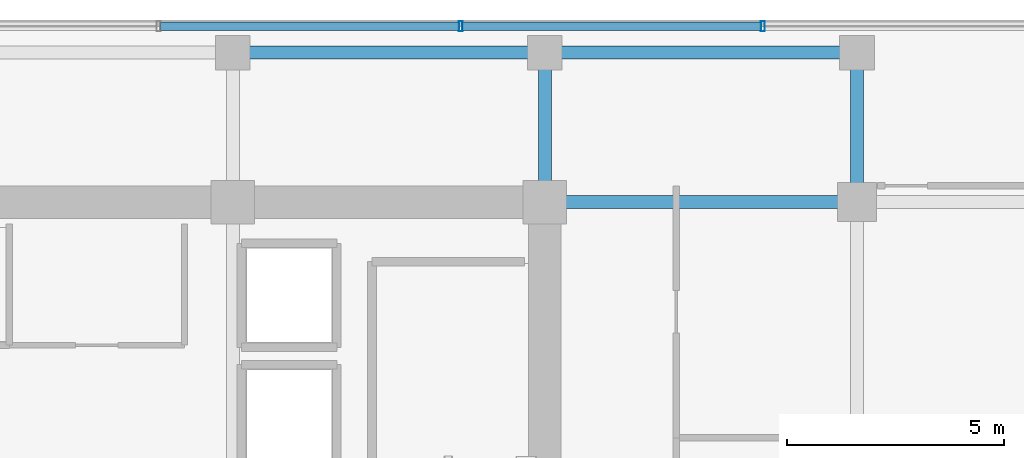
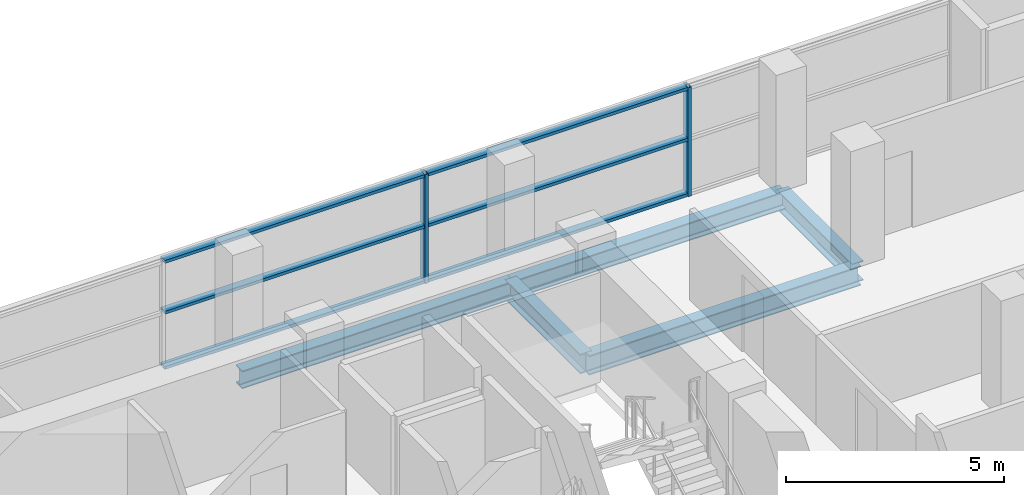
# One storey, part 14 of 24: 8 members, 5 beams, 1 element without a shape of its own.
"""IFC4 building model written with IfcOpenShell, lengths in metres."""

from ifc_helpers import new_model, si_unit, direction, frame, origin, origin_2d, place, context, subcontext, project, spatial, hollow_rectangle, i_section, extrude, source, transform, mapped, material, layer, layer_set, material_profile, profile_set, type_object, element, aggregate, save


model = new_model("IFC4")

# Units and contexts
model_context = context("Model", 3, precision=1e-05, world=origin(), true_north=direction((0.0, 1.0)))
body_context = subcontext(model_context, "Body", "Model", "MODEL_VIEW")
ifc_project = project(units=[si_unit("LENGTHUNIT", "METRE"), si_unit("AREAUNIT", "SQUARE_METRE"), si_unit("VOLUMEUNIT", "CUBIC_METRE"), si_unit("PLANEANGLEUNIT", "RADIAN"), si_unit("MASSUNIT", "GRAM", prefix="KILO")], contexts=[model_context])

# Site, building, storey
site_placement = place(None, origin())
site = spatial("IfcSite", under=ifc_project, at=site_placement, CompositionType="ELEMENT")
building_placement = place(site_placement, origin())
building = spatial("IfcBuilding", under=site, at=building_placement, Name="Zarnakvel Exchange Tower", CompositionType="ELEMENT")
storey_placement = place(building_placement, frame((0.0, 0.0, 133.0)))
storey = spatial("IfcBuildingStorey", under=building, at=storey_placement, Name="L37", CompositionType="ELEMENT", Elevation=133.0)

# Beams
ifc_material_1 = material(Name="Steel S355", Category="steel")
ifc_material_profile_1 = material_profile(ifc_material_1, i_section(OverallWidth=0.300048828125, OverallDepth=0.550048828125, WebThickness=0.014892578125, FlangeThickness=0.029052734375, FilletRadius=0.027099609375, at=origin_2d()))
ifc_profile_set_1 = profile_set([ifc_material_profile_1], Name="Steel S355")
beam_type_1 = type_object("IfcBeamType", Name="G-05", PredefinedType="BEAM", material=ifc_profile_set_1)
beam_1_placement = place(storey_placement, frame((14.39990234375, 13.5, -0.5), z_axis=(1.0, 0.0, 0.0), x_axis=(0.0, 1.0, 0.0)))
element("IfcBeam", 1, at=beam_1_placement, inside=storey, type_object=beam_type_1, Name="L37 Tower E-W Frame Beam", PredefinedType="BEAM", context=body_context, shape_type="SweptSolid", body=[
    extrude(i_section(OverallWidth=0.300048828125, OverallDepth=0.550048828125, WebThickness=0.014892578125, FlangeThickness=0.029052734375, FilletRadius=0.027099609375, at=origin_2d()), origin(), (0.0, 0.0, 1.0), 7.2001953125),
])
for number, where, z_axis, x_axis, name in (
    (2, (14.39990234375, 13.5, -0.5), (0.0, 1.0, 0.0), (-1.0, 0.0, 0.0), "L37 Tower N-S Frame Beam"),
    (3, (21.60009765625, 13.5, -0.5), (0.0, 1.0, 0.0), (-1.0, 0.0, 0.0), "L37 Tower N-S Frame Beam"),
):
    element("IfcBeam", number, at=place(storey_placement, frame(where, z_axis=z_axis, x_axis=x_axis)), inside=storey, type_object=beam_type_1, Name=name, PredefinedType="BEAM", context=body_context, shape_type="SweptSolid", body=[
        extrude(i_section(OverallWidth=0.300048828125, OverallDepth=0.550048828125, WebThickness=0.014892578125, FlangeThickness=0.029052734375, FilletRadius=0.027099609375, at=origin_2d()), origin(), (0.0, 0.0, 1.0), 3.449951171875),
    ])
ifc_material_profile_2 = material_profile(ifc_material_1, i_section(OverallWidth=0.300048828125, OverallDepth=0.5, WebThickness=0.014404296875, FlangeThickness=0.028076171875, FilletRadius=0.027099609375, at=origin_2d()))
ifc_profile_set_2 = profile_set([ifc_material_profile_2], Name="Steel S355")
beam_type_2 = type_object("IfcBeamType", Name="SP-02", PredefinedType="SPANDREL", material=ifc_profile_set_2)
beam_2_placement = place(storey_placement, frame((7.199951171875, 16.949951171875, -0.47509765625), z_axis=(1.0, 0.0, 0.0), x_axis=(0.0, 1.0, 0.0)))
element("IfcBeam", 4, at=beam_2_placement, inside=storey, type_object=beam_type_2, Name="L37 Tower E-W Frame Beam", PredefinedType="SPANDREL", context=body_context, shape_type="SweptSolid", body=[
    extrude(i_section(OverallWidth=0.300048828125, OverallDepth=0.5, WebThickness=0.014404296875, FlangeThickness=0.028076171875, FilletRadius=0.027099609375, at=origin_2d()), origin(), (0.0, 0.0, 1.0), 7.199951171875),
])
beam_3_placement = place(storey_placement, frame((14.39990234375, 16.949951171875, -0.47509765625), z_axis=(1.0, 0.0, 0.0), x_axis=(0.0, 1.0, 0.0)))
element("IfcBeam", 5, at=beam_3_placement, inside=storey, type_object=beam_type_2, Name="L37 Tower E-W Frame Beam", PredefinedType="SPANDREL", context=body_context, shape_type="SweptSolid", body=[
    extrude(i_section(OverallWidth=0.300048828125, OverallDepth=0.5, WebThickness=0.014404296875, FlangeThickness=0.028076171875, FilletRadius=0.027099609375, at=origin_2d()), origin(), (0.0, 0.0, 1.0), 7.2001953125),
])

# Curtain wall, members
ifc_material_2 = material(Name="Architectural Bronze Anodised Aluminium", Category="aluminium")
ifc_layer = layer(ifc_material_2, 0.239990234375)
ifc_layer_set = layer_set([ifc_layer], Name="Architectural Bronze Anodised Aluminium")
curtain_wall_type = type_object("IfcCurtainWallType", Name="CW-02", PredefinedType="NOTDEFINED", material=ifc_layer_set)
curtain_wall_placement = place(storey_placement, origin())
curtain_wall = element("IfcCurtainWall", 6, at=curtain_wall_placement, inside=storey, type_object=curtain_wall_type, Name="L37 Curtain Wall CW-L37-N1 (CW-02)", PredefinedType="NOTDEFINED")
ifc_material_profile_3 = material_profile(ifc_material_2, hollow_rectangle(XDim=0.239990234375, YDim=0.090087890625, WallThickness=0.006103515625, at=origin_2d()))
ifc_profile_set_3 = profile_set([ifc_material_profile_3], Name="Architectural Bronze Anodised Aluminium")
member_type_1 = type_object("IfcMemberType", Name="CWM-02", PredefinedType="MULLION", material=ifc_profile_set_3)
shared_shape_1 = source(origin(), body_context, "Body", "SweptSolid", [
    extrude(hollow_rectangle(XDim=0.239990234375, YDim=0.090087890625, WallThickness=0.006103515625, at=origin_2d()), origin(), (0.0, 0.0, 1.0), 3.054931640625),
])
member_1_placement = place(storey_placement, frame((12.45703125, 17.56005859375, 0.0), z_axis=(0.0, 0.0, 1.0), x_axis=(0.0, 1.0, 0.0)))
member_1 = element("IfcMember", 7, at=member_1_placement, type_object=member_type_1, Name="CW-02 mullion 6", PredefinedType="MULLION", context=body_context, shape_type="MappedRepresentation", body=[
    mapped(shared_shape_1, transform((0.0, 0.0, 0.0), x_axis=(1.0, 0.0, 0.0), y_axis=(0.0, 1.0, 0.0), z_axis=(0.0, 0.0, 1.0), scale=1.0)),
])
member_2_placement = place(storey_placement, frame((19.428466796875, 17.56005859375, 0.0), z_axis=(0.0, 0.0, 1.0), x_axis=(0.0, 1.0, 0.0)))
member_2 = element("IfcMember", 8, at=member_2_placement, type_object=member_type_1, Name="CW-02 mullion 7", PredefinedType="MULLION", context=body_context, shape_type="MappedRepresentation", body=[
    mapped(shared_shape_1, transform((0.0, 0.0, 0.0), x_axis=(1.0, 0.0, 0.0), y_axis=(0.0, 1.0, 0.0), z_axis=(0.0, 0.0, 1.0), scale=1.0)),
])
ifc_material_profile_4 = material_profile(ifc_material_2, hollow_rectangle(XDim=0.199951171875, YDim=0.0849609375, WallThickness=0.0048828125, at=origin_2d()))
ifc_profile_set_4 = profile_set([ifc_material_profile_4], Name="Architectural Bronze Anodised Aluminium")
member_type_2 = type_object("IfcMemberType", Name="CWT-02", PredefinedType="USERDEFINED", material=ifc_profile_set_4)
shared_shape_2 = source(origin(), body_context, "Body", "SweptSolid", [
    extrude(hollow_rectangle(XDim=0.199951171875, YDim=0.0849609375, WallThickness=0.0048828125, at=origin_2d()), origin(), (0.0, 0.0, 1.0), 6.88134765625),
])
member_3_placement = place(storey_placement, frame((5.53076171875, 17.56005859375, 0.04248046875), z_axis=(1.0, 0.0, 0.0), x_axis=(0.0, 1.0, 0.0)))
member_3 = element("IfcMember", 9, at=member_3_placement, type_object=member_type_2, Name="CW-02 transom 5.1", ObjectType="TRANSOM", PredefinedType="USERDEFINED", context=body_context, shape_type="MappedRepresentation", body=[
    mapped(shared_shape_2, transform((0.0, 0.0, 0.0), x_axis=(1.0, 0.0, 0.0), y_axis=(0.0, 1.0, 0.0), z_axis=(0.0, 0.0, 1.0), scale=1.0)),
])
member_4_placement = place(storey_placement, frame((5.53076171875, 17.56005859375, 1.588623046875), z_axis=(1.0, 0.0, 0.0), x_axis=(0.0, 1.0, 0.0)))
member_4 = element("IfcMember", 10, at=member_4_placement, type_object=member_type_2, Name="CW-02 transom 5.2", ObjectType="TRANSOM", PredefinedType="USERDEFINED", context=body_context, shape_type="MappedRepresentation", body=[
    mapped(shared_shape_2, transform((0.0, 0.0, 0.0), x_axis=(1.0, 0.0, 0.0), y_axis=(0.0, 1.0, 0.0), z_axis=(0.0, 0.0, 1.0), scale=1.0)),
])
member_5_placement = place(storey_placement, frame((5.53076171875, 17.56005859375, 3.012451171875), z_axis=(1.0, 0.0, 0.0), x_axis=(0.0, 1.0, 0.0)))
member_5 = element("IfcMember", 11, at=member_5_placement, type_object=member_type_2, Name="CW-02 transom 5.3", ObjectType="TRANSOM", PredefinedType="USERDEFINED", context=body_context, shape_type="MappedRepresentation", body=[
    mapped(shared_shape_2, transform((0.0, 0.0, 0.0), x_axis=(1.0, 0.0, 0.0), y_axis=(0.0, 1.0, 0.0), z_axis=(0.0, 0.0, 1.0), scale=1.0)),
])
member_6_placement = place(storey_placement, frame((12.502197265625, 17.56005859375, 0.04248046875), z_axis=(1.0, 0.0, 0.0), x_axis=(0.0, 1.0, 0.0)))
member_6 = element("IfcMember", 12, at=member_6_placement, type_object=member_type_2, Name="CW-02 transom 6.1", ObjectType="TRANSOM", PredefinedType="USERDEFINED", context=body_context, shape_type="MappedRepresentation", body=[
    mapped(shared_shape_2, transform((0.0, 0.0, 0.0), x_axis=(1.0, 0.0, 0.0), y_axis=(0.0, 1.0, 0.0), z_axis=(0.0, 0.0, 1.0), scale=1.0)),
])
member_7_placement = place(storey_placement, frame((12.502197265625, 17.56005859375, 1.588623046875), z_axis=(1.0, 0.0, 0.0), x_axis=(0.0, 1.0, 0.0)))
member_7 = element("IfcMember", 13, at=member_7_placement, type_object=member_type_2, Name="CW-02 transom 6.2", ObjectType="TRANSOM", PredefinedType="USERDEFINED", context=body_context, shape_type="MappedRepresentation", body=[
    mapped(shared_shape_2, transform((0.0, 0.0, 0.0), x_axis=(1.0, 0.0, 0.0), y_axis=(0.0, 1.0, 0.0), z_axis=(0.0, 0.0, 1.0), scale=1.0)),
])
member_8_placement = place(storey_placement, frame((12.502197265625, 17.56005859375, 3.012451171875), z_axis=(1.0, 0.0, 0.0), x_axis=(0.0, 1.0, 0.0)))
member_8 = element("IfcMember", 14, at=member_8_placement, type_object=member_type_2, Name="CW-02 transom 6.3", ObjectType="TRANSOM", PredefinedType="USERDEFINED", context=body_context, shape_type="MappedRepresentation", body=[
    mapped(shared_shape_2, transform((0.0, 0.0, 0.0), x_axis=(1.0, 0.0, 0.0), y_axis=(0.0, 1.0, 0.0), z_axis=(0.0, 0.0, 1.0), scale=1.0)),
])
aggregate(curtain_wall, [member_1, member_2, member_3, member_4, member_5, member_6, member_7, member_8])

save(model, "model.ifc")
